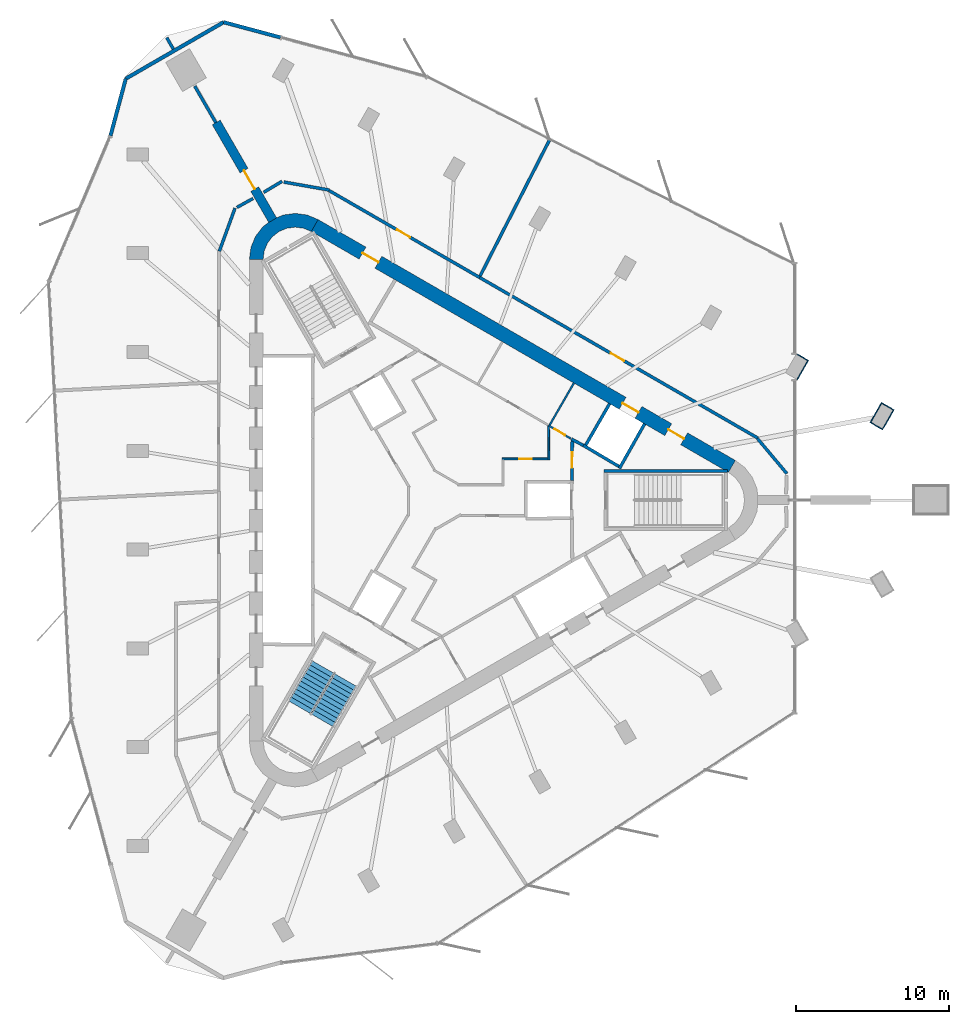
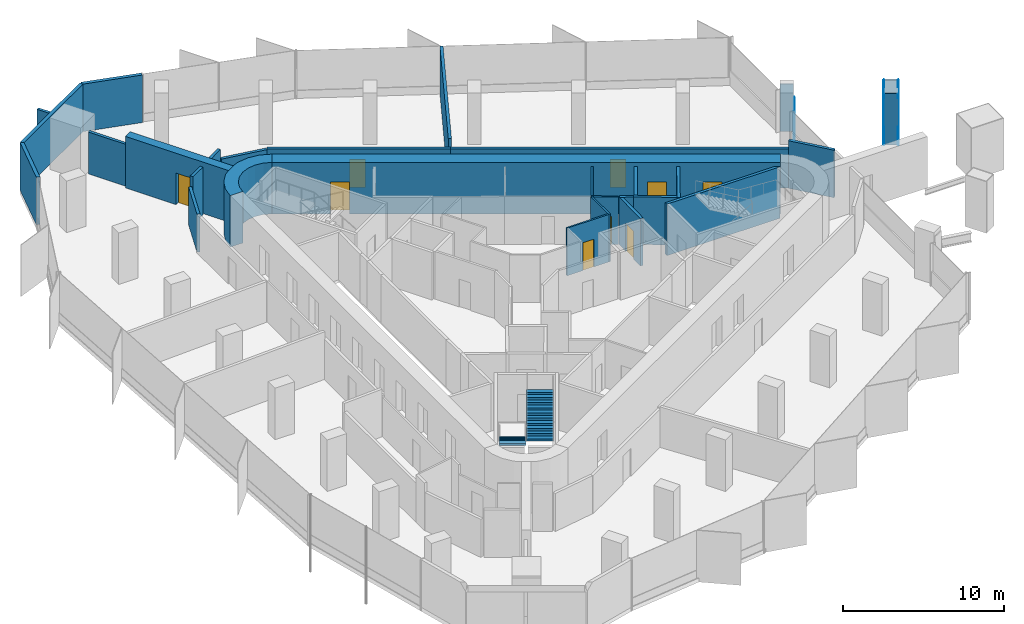
# One storey, part 10 of 12: 32 walls, 9 doors, 2 stair flights, 9 openings, 1 element without a shape of its own.
"""IFC4 building model written with IfcOpenShell, lengths in metres."""

import ifcopenshell
import ifcopenshell.guid

model = None  # the IFC model being written
_history = None  # IfcOwnerHistory: only IFC2X3 demands one
_inside = {}  # id of a spatial element -> (the spatial element, [elements in it])
_under = {}  # id of a project, library or spatial element -> (it, [spatial elements below it])
_declared = {}  # id of a project -> (the project, [libraries it declares])
_typed = {}  # id of a type object -> (the type object, [elements of that type])
_made_of = {}  # id of a material, layer set ... -> (it, [elements and type objects made of it])


def new_model(schema):
    """Start an empty IFC model of exactly this schema.

    Asked for "IFC4X3", IfcOpenShell would pick the latest addendum, in which some entities
    have other attributes; the version numbers below select the first issue.
    IFC2X3 requires an IfcOwnerHistory on every rooted entity: one is made here for all.
    """
    global model, _history
    if schema == "IFC4X3":
        model = ifcopenshell.file(schema_version=(4, 3, 0, 0))
    else:
        model = ifcopenshell.file(schema=schema)
    _inside.clear()
    _under.clear()
    _declared.clear()
    _typed.clear()
    _made_of.clear()
    _history = None
    if model.schema == "IFC2X3":
        org = make("IfcOrganization", Name="unknown")
        user = make(
            "IfcPersonAndOrganization",
            ThePerson=make("IfcPerson", FamilyName="unknown"),
            TheOrganization=org,
        )
        app = make(
            "IfcApplication",
            ApplicationDeveloper=org,
            Version="unknown",
            ApplicationFullName="unknown",
            ApplicationIdentifier="unknown",
        )
        _history = make(
            "IfcOwnerHistory",
            OwningUser=user,
            OwningApplication=app,
            ChangeAction="ADDED",
            CreationDate=0,
        )
    return model


def make(cls, **values):
    """One entity of the class cls with the attributes given. An attribute that is None is left unset."""
    return model.create_entity(
        cls, **{name: value for name, value in values.items() if value is not None}
    )


def rooted(cls, **values):
    """An entity with a GlobalId (a new one), such as an element, a storey or a relation."""
    return make(cls, GlobalId=ifcopenshell.guid.new(), OwnerHistory=_history, **values)


def si_unit(unit_type, name, prefix=None):
    """IfcSIUnit, for example si_unit("LENGTHUNIT", "METRE", prefix="MILLI")."""
    return make("IfcSIUnit", UnitType=unit_type, Prefix=prefix, Name=name)


def assignment(units):
    """IfcUnitAssignment: the units of a project."""
    return None if units is None else make("IfcUnitAssignment", Units=units)


def point(xyz):
    """IfcCartesianPoint."""
    return None if xyz is None else make("IfcCartesianPoint", Coordinates=xyz)


def direction(xyz):
    """IfcDirection."""
    return None if xyz is None else make("IfcDirection", DirectionRatios=xyz)


def frame(location, z_axis=None, x_axis=None):
    """IfcAxis2Placement3D, a coordinate frame: its origin and axes. An axis left out is left unset."""
    return make(
        "IfcAxis2Placement3D",
        Location=point(location),
        Axis=direction(z_axis),
        RefDirection=direction(x_axis),
    )


def frame_2d(location, x_axis=None):
    """IfcAxis2Placement2D, a coordinate frame in the plane: its origin and x axis."""
    return make(
        "IfcAxis2Placement2D", Location=point(location), RefDirection=direction(x_axis)
    )


def origin():
    """The frame at (0, 0, 0) with its axes left unset."""
    return frame((0.0, 0.0, 0.0))


def place(relative_to, where):
    """IfcLocalPlacement: puts the frame where relative to a parent placement (None: the world)."""
    return make(
        "IfcLocalPlacement", PlacementRelTo=relative_to, RelativePlacement=where
    )


def context(
    kind, dimensions, precision=None, world=None, true_north=None, identifier=None
):
    """IfcGeometricRepresentationContext, for example the 3D "Model" context."""
    return make(
        "IfcGeometricRepresentationContext",
        ContextIdentifier=identifier,
        ContextType=kind,
        CoordinateSpaceDimension=dimensions,
        Precision=precision,
        WorldCoordinateSystem=world,
        TrueNorth=true_north,
    )


def subcontext(parent, identifier, kind, view, scale=None):
    """IfcGeometricRepresentationSubContext, for example "Body" below "Model"."""
    return make(
        "IfcGeometricRepresentationSubContext",
        ContextIdentifier=identifier,
        ContextType=kind,
        ParentContext=parent,
        TargetScale=scale,
        TargetView=view,
    )


def project(units=None, contexts=None):
    """IfcProject with its units and contexts."""
    return rooted(
        "IfcProject",
        Name="project",
        RepresentationContexts=contexts,
        UnitsInContext=assignment(units),
    )


def spatial(cls, under=None, at=None, **own):
    """A site, building, storey or space (cls), placed at a placement, below another one or the project."""
    s = rooted(cls, ObjectPlacement=at, **own)
    if under is not None:
        _under.setdefault(under.id(), (under, []))[1].append(s)
    return s


def polyline(points):
    """IfcPolyline through the points."""
    return make("IfcPolyline", Points=[point(p) for p in points])


def profile(cls, at=None, kind="AREA", **sizes):
    """A parametric profile (cls). Its sizes go by their IFC names, for example OverallWidth=200.0."""
    return make(cls, ProfileType=kind, Position=at, **sizes)


def rectangle(**sizes):
    """IfcRectangleProfileDef."""
    return profile("IfcRectangleProfileDef", **sizes)


def outline(outer, holes=None, kind="AREA"):
    """IfcArbitraryClosedProfileDef: a profile drawn as a closed curve; with holes, ...WithVoids."""
    if holes is None:
        return make("IfcArbitraryClosedProfileDef", ProfileType=kind, OuterCurve=outer)
    return make(
        "IfcArbitraryProfileDefWithVoids",
        ProfileType=kind,
        OuterCurve=outer,
        InnerCurves=holes,
    )


def extrude(swept, where, along, depth):
    """IfcExtrudedAreaSolid: the profile swept, set in the frame where, extruded along a direction by depth."""
    return make(
        "IfcExtrudedAreaSolid",
        SweptArea=swept,
        Position=where,
        ExtrudedDirection=direction(along),
        Depth=depth,
    )


def shape(context_of_items, identifier, shape_type, items):
    """IfcShapeRepresentation: the items that make up one representation, for example the "Body"."""
    return make(
        "IfcShapeRepresentation",
        ContextOfItems=context_of_items,
        RepresentationIdentifier=identifier,
        RepresentationType=shape_type,
        Items=items,
    )


def material(Name=None, Category=None):
    """IfcMaterial."""
    return make("IfcMaterial", Name=Name, Category=Category)


def layer(
    of_material, thickness, ventilated=None, Name=None, Category=None, Priority=None
):
    """IfcMaterialLayer: one layer of a wall or slab, of a material (None: an air gap)."""
    return make(
        "IfcMaterialLayer",
        Material=of_material,
        LayerThickness=thickness,
        IsVentilated=ventilated,
        Name=Name,
        Category=Category,
        Priority=Priority,
    )


def layer_set(layers, Name=None):
    """IfcMaterialLayerSet."""
    return make("IfcMaterialLayerSet", MaterialLayers=layers, LayerSetName=Name)


def made_of(thing, what):
    """Note that an element or type object is made of a material, layer set ...; save() writes the relation."""
    if what is not None:
        _made_of.setdefault(what.id(), (what, []))[1].append(thing)
    return thing


def type_object(cls, material=None, **own):
    """A type object (cls), such as IfcWallType, which elements share."""
    return made_of(rooted(cls, **own), material)


def element(
    cls,
    number,
    at=None,
    inside=None,
    cuts=None,
    type_object=None,
    material=None,
    context=None,
    identifier="Body",
    shape_type=None,
    held_by="IfcProductDefinitionShape",
    body=None,
    shapes=None,
    **own,
):
    """One element of the class cls, such as IfcWall. Its Tag is "e" and its number.

    at: its placement. inside: the storey or other place that contains it. cuts: it is an
    opening in that element (IfcRelVoidsElement). A single representation is given by context,
    identifier, shape_type and body (its items); several are given by shapes. held_by: the class
    of the entity that holds the representations. save() writes the other relations.
    """
    e = rooted(cls, Tag="e%d" % number, ObjectPlacement=at, **own)
    if body is not None:
        shapes = [shape(context, identifier, shape_type, body)]
    if shapes is not None:
        e.Representation = make(held_by, Representations=shapes)
    if inside is not None:
        _inside.setdefault(inside.id(), (inside, []))[1].append(e)
    if cuts is not None:
        rooted(
            "IfcRelVoidsElement", RelatingBuildingElement=cuts, RelatedOpeningElement=e
        )
    if type_object is not None:
        _typed.setdefault(type_object.id(), (type_object, []))[1].append(e)
    return made_of(e, material)


def fill(opening, filler):
    """IfcRelFillsElement: the door or window that sits in an opening."""
    return rooted(
        "IfcRelFillsElement",
        RelatingOpeningElement=opening,
        RelatedBuildingElement=filler,
    )


def aggregate(whole, parts):
    """IfcRelAggregates: a whole, such as a stair, and the parts it consists of."""
    return rooted("IfcRelAggregates", RelatingObject=whole, RelatedObjects=parts)


def save(model, path):
    """Write the relations noted so far, then the file.

    IfcRelAggregates (storeys below a building ...), IfcRelContainedInSpatialStructure (elements
    in a storey), IfcRelDefinesByType, IfcRelAssociatesMaterial and IfcRelDeclares: one each for
    every whole, place, type object, material and project.
    """
    for whole, parts in _under.values():
        aggregate(whole, parts)
    for where, things in _inside.values():
        rooted(
            "IfcRelContainedInSpatialStructure",
            RelatedElements=things,
            RelatingStructure=where,
        )
    for kind, things in _typed.values():
        rooted("IfcRelDefinesByType", RelatedObjects=things, RelatingType=kind)
    for what, things in _made_of.values():
        rooted("IfcRelAssociatesMaterial", RelatedObjects=things, RelatingMaterial=what)
    for by, libraries in _declared.values():
        rooted("IfcRelDeclares", RelatingContext=by, RelatedDefinitions=libraries)
    model.write(path)


model = new_model("IFC4")

# Units and contexts
model_context = context("Model", 3, precision=1e-05, world=origin(), true_north=direction((0.0, 1.0)))
body_context = subcontext(model_context, "Body", "Model", "MODEL_VIEW")
ifc_project = project(units=[si_unit("LENGTHUNIT", "METRE"), si_unit("AREAUNIT", "SQUARE_METRE"), si_unit("VOLUMEUNIT", "CUBIC_METRE"), si_unit("PLANEANGLEUNIT", "RADIAN"), si_unit("MASSUNIT", "GRAM", prefix="KILO")], contexts=[model_context])

# Site, building, storey
site_placement = place(None, origin())
site = spatial("IfcSite", under=ifc_project, at=site_placement, CompositionType="ELEMENT")
building_placement = place(site_placement, origin())
building = spatial("IfcBuilding", under=site, at=building_placement, Name="Tanit Gate Tower", CompositionType="ELEMENT")
storey_placement = place(building_placement, frame((0.0, 0.0, 365.0)))
storey = spatial("IfcBuildingStorey", under=building, at=storey_placement, Name="L83", CompositionType="ELEMENT", Elevation=365.0)

# Wall, opening, door
ifc_material_1 = material(Name="Concrete C40/50", Category="concrete")
ifc_layer_1 = layer(ifc_material_1, 0.60009765625)
ifc_layer_set_1 = layer_set([ifc_layer_1], Name="BUTTRESS FIN 600 C40/50")
wall_type_1 = type_object("IfcWallType", Name="BUTTRESS FIN 600 C40/50", PredefinedType="SHEAR", material=ifc_layer_set_1)
wall_1_placement = place(storey_placement, frame((-10.574951171875, 18.31640625, 0.0), z_axis=(0.0, 0.0, 1.0), x_axis=(-0.500009454961, 0.866019944892, 0.0)))
wall_1 = element("IfcWall", 1, at=wall_1_placement, inside=storey, type_object=wall_type_1, Name="BUTTRESS FIN", PredefinedType="SHEAR", context=body_context, shape_type="SweptSolid", body=[
    extrude(rectangle(XDim=7.387939453125, YDim=0.60009765625, at=frame_2d((3.69384765625, 0.0))), origin(), (0.0, 0.0, 1.0), 3.89990234375),
])
opening_1_placement = place(wall_1_placement, frame((2.35009765625, 0.0, 0.0)))
opening_1 = element("IfcOpeningElement", 2, at=opening_1_placement, cuts=wall_1, Name="Opening P14-83-F-NW-1", PredefinedType="OPENING", context=body_context, shape_type="SweptSolid", body=[
    extrude(rectangle(XDim=1.39990234375, YDim=2.39990234375, at=frame_2d((0.699951171875, 1.199951171875))), frame((0.0, 0.31005859375, 0.0), z_axis=(0.0, -1.0, 0.0), x_axis=(1.0, 0.0, 0.0)), (0.0, 0.0, 1.0), 0.6201171875),
])
ifc_material_2 = material(Name="Timber door leaf", Category="wood")
door_type_1 = type_object("IfcDoorType", Name="INT-DOOR-FIN-PAIR-1400", OperationType="NOTDEFINED", PredefinedType="NOTDEFINED", material=ifc_material_2)
door_1_placement = place(opening_1_placement, origin())
door_1 = element("IfcDoor", 3, at=door_1_placement, inside=storey, type_object=door_type_1, Name="Door P14-83-F-NW-1", OperationType="DOUBLE_DOOR_SINGLE_SWING", OverallHeight=2.39990234375, OverallWidth=1.39990234375, PredefinedType="NOTDEFINED", context=body_context, shape_type="SweptSolid", body=[
    extrude(rectangle(XDim=1.39990234375, YDim=2.39990234375, at=frame_2d((0.699951171875, 1.199951171875))), frame((0.0, 0.02490234375, 0.0), z_axis=(0.0, -1.0, 0.0), x_axis=(1.0, 0.0, 0.0)), (0.0, 0.0, 1.0), 0.050048828125),
])
fill(opening_1, door_1)

# Wall, openings, doors
ifc_material_3 = material(Name="Concrete C40/50", Category="concrete")
ifc_layer_2 = layer(ifc_material_3, 0.89990234375)
ifc_layer_set_2 = layer_set([ifc_layer_2], Name="CORE WALL 900 C40/50")
wall_type_2 = type_object("IfcWallType", Name="CORE WALL 900 C40/50", PredefinedType="SHEAR", material=ifc_layer_set_2)
wall_2_placement = place(storey_placement, frame((19.47509765625, 2.20849609375, 0.0), z_axis=(0.0, 0.0, 1.0), x_axis=(-0.866028369851, 0.499994862586, 0.0)))
wall_2 = element("IfcWall", 4, at=wall_2_placement, inside=storey, type_object=wall_type_2, Name="CORE WALL", PredefinedType="SHEAR", context=body_context, shape_type="SweptSolid", body=[
    extrude(rectangle(XDim=31.523193359375, YDim=0.89990234375, at=frame_2d((15.76171875, 0.0))), origin(), (0.0, 0.0, 1.0), 3.89990234375),
])
opening_2_placement = place(wall_2_placement, frame((7.0615234375, 0.0, 0.0)))
opening_2 = element("IfcOpeningElement", 5, at=opening_2_placement, cuts=wall_2, Name="Opening LDHL8-83", PredefinedType="OPENING", context=body_context, shape_type="SweptSolid", body=[
    extrude(rectangle(XDim=1.199951171875, YDim=2.39990234375, at=frame_2d((0.60009765625, 1.199951171875))), frame((0.0, 0.4599609375, 0.0), z_axis=(0.0, -1.0, 0.0), x_axis=(1.0, 0.0, 0.0)), (0.0, 0.0, 1.0), 0.919921875),
])
opening_3_placement = place(wall_2_placement, frame((3.611572265625, 0.0, 0.0)))
opening_3 = element("IfcOpeningElement", 6, at=opening_3_placement, cuts=wall_2, Name="Opening F12-83-FL1", PredefinedType="OPENING", context=body_context, shape_type="SweptSolid", body=[
    extrude(rectangle(XDim=1.199951171875, YDim=2.39990234375, at=frame_2d((0.60009765625, 1.199951171875))), frame((0.0, 0.4599609375, 0.0), z_axis=(0.0, -1.0, 0.0), x_axis=(1.0, 0.0, 0.0)), (0.0, 0.0, 1.0), 0.919921875),
])
opening_4_placement = place(wall_2_placement, frame((26.711669921875, 0.0, 0.0)))
opening_4 = element("IfcOpeningElement", 7, at=opening_4_placement, cuts=wall_2, Name="Opening F12-83-S2", PredefinedType="OPENING", context=body_context, shape_type="SweptSolid", body=[
    extrude(rectangle(XDim=1.199951171875, YDim=2.39990234375, at=frame_2d((0.60009765625, 1.199951171875))), frame((0.0, 0.4599609375, 0.0), z_axis=(0.0, -1.0, 0.0), x_axis=(1.0, 0.0, 0.0)), (0.0, 0.0, 1.0), 0.919921875),
])
ifc_material_4 = material(Name="Fire-rated steel door leaf", Category="steel")
door_type_2 = type_object("IfcDoorType", Name="INT-DOOR-FIRE-LOBBY-1200", OperationType="NOTDEFINED", PredefinedType="USERDEFINED", material=ifc_material_4)
door_2_placement = place(opening_3_placement, origin())
door_2 = element("IfcDoor", 8, at=door_2_placement, inside=storey, type_object=door_type_2, Name="Door F12-83-FL1", ObjectType="FIRE DOOR", OperationType="SINGLE_SWING_LEFT", OverallHeight=2.39990234375, OverallWidth=1.199951171875, PredefinedType="USERDEFINED", context=body_context, shape_type="SweptSolid", body=[
    extrude(rectangle(XDim=1.199951171875, YDim=2.39990234375, at=frame_2d((0.60009765625, 1.199951171875))), frame((0.0, 0.02490234375, 0.0), z_axis=(0.0, -1.0, 0.0), x_axis=(1.0, 0.0, 0.0)), (0.0, 0.0, 1.0), 0.050048828125),
])
fill(opening_3, door_2)
door_3_placement = place(opening_4_placement, origin())
door_3 = element("IfcDoor", 9, at=door_3_placement, inside=storey, type_object=door_type_2, Name="Door F12-83-S2", ObjectType="FIRE DOOR", OperationType="SINGLE_SWING_LEFT", OverallHeight=2.39990234375, OverallWidth=1.199951171875, PredefinedType="USERDEFINED", context=body_context, shape_type="SweptSolid", body=[
    extrude(rectangle(XDim=1.199951171875, YDim=2.39990234375, at=frame_2d((0.60009765625, 1.199951171875))), frame((0.0, 0.02490234375, 0.0), z_axis=(0.0, -1.0, 0.0), x_axis=(1.0, 0.0, 0.0)), (0.0, 0.0, 1.0), 0.050048828125),
])
fill(opening_4, door_3)
ifc_material_5 = material(Name="Stainless steel sliding door leaf", Category="steel")
door_type_3 = type_object("IfcDoorType", Name="INT-DOOR-LANDING-1200", OperationType="NOTDEFINED", PredefinedType="USERDEFINED", material=ifc_material_5)
door_4_placement = place(opening_2_placement, origin())
door_4 = element("IfcDoor", 10, at=door_4_placement, inside=storey, type_object=door_type_3, Name="Door LDHL8-83", ObjectType="LANDING DOOR", OperationType="SLIDING_TO_LEFT", OverallHeight=2.39990234375, OverallWidth=1.199951171875, PredefinedType="USERDEFINED", context=body_context, shape_type="SweptSolid", body=[
    extrude(rectangle(XDim=1.199951171875, YDim=2.39990234375, at=frame_2d((0.60009765625, 1.199951171875))), frame((0.0, 0.02490234375, 0.0), z_axis=(0.0, -1.0, 0.0), x_axis=(1.0, 0.0, 0.0)), (0.0, 0.0, 1.0), 0.050048828125),
])
fill(opening_2, door_4)

# Walls
wall_3_placement = place(storey_placement, origin())
element("IfcWall", 11, at=wall_3_placement, inside=storey, type_object=wall_type_2, Name="CORE WALL CORNER", PredefinedType="SHEAR", context=body_context, shape_type="SweptSolid", body=[
    extrude(outline(polyline([(-7.60009765625, 18.359619140625), (-8.323486328125, 18.659423828125), (-9.10009765625, 18.76171875), (-9.87646484375, 18.659423828125), (-10.60009765625, 18.359619140625), (-11.22119140625, 17.883056640625), (-11.697998046875, 17.26171875), (-11.997802734375, 16.5380859375), (-12.10009765625, 15.76171875), (-11.199951171875, 15.76171875), (-11.12841796875, 16.30517578125), (-10.918701171875, 16.811767578125), (-10.5849609375, 17.24658203125), (-10.14990234375, 17.580322265625), (-9.6435546875, 17.7900390625), (-9.10009765625, 17.86181640625), (-8.556396484375, 17.7900390625), (-8.050048828125, 17.580322265625), (-7.60009765625, 18.359619140625)])), origin(), (0.0, 0.0, 1.0), 3.89990234375),
])
ifc_material_6 = material(Name="Bronze anodised aluminium cladding", Category="aluminium")
ifc_layer_3 = layer(ifc_material_6, 0.06005859375)
ifc_layer_set_3 = layer_set([ifc_layer_3], Name="Column casing bronze 60")
wall_type_3 = type_object("IfcWallType", Name="Column casing bronze 60", PredefinedType="SOLIDWALL", material=ifc_layer_set_3)
for number, where, z_axis, x_axis, name in (
    (12, (28.521484375, 5.0634765625, 0.0), (0.0, 0.0, 1.0), (0.499991248344, 0.866030456496, 0.0), "Column casing L83 P-NE1.L1"),
    (13, (29.3095703125, 4.6083984375, 0.0), (0.0, 0.0, 1.0), (0.499991248344, 0.866030456496, 0.0), "Column casing L83 P-NE1.L2"),
):
    element("IfcWall", number, at=place(storey_placement, frame(where, z_axis=z_axis, x_axis=x_axis)), inside=storey, type_object=wall_type_3, Name=name, PredefinedType="SOLIDWALL", context=body_context, shape_type="SweptSolid", body=[
        extrude(rectangle(XDim=1.52001953125, YDim=0.06005859375, at=frame_2d((0.760009765625, 0.0))), origin(), (0.0, 0.0, 1.0), 3.89990234375),
    ])
for number, where, z_axis, x_axis, name in (
    (14, (30.02880859375, 5.913818359375, 0.0), (0.0, 0.0, 1.0), (-0.866061263272, 0.499937884402, 0.0), "Column casing L83 P-NE1.S1"),
    (15, (29.298583984375, 4.6494140625, 0.0), (0.0, 0.0, 1.0), (-0.865989465428, 0.500062241894, 0.0), "Column casing L83 P-NE1.S2"),
):
    element("IfcWall", number, at=place(storey_placement, frame(where, z_axis=z_axis, x_axis=x_axis)), inside=storey, type_object=wall_type_3, Name=name, PredefinedType="SOLIDWALL", context=body_context, shape_type="SweptSolid", body=[
        extrude(rectangle(XDim=0.85009765625, YDim=0.06005859375, at=frame_2d((0.425048828125, 0.0))), origin(), (0.0, 0.0, 1.0), 3.89990234375),
    ])
wall_4_placement = place(storey_placement, frame((23.711669921875, 7.84033203125, 0.0), z_axis=(0.0, 0.0, 1.0), x_axis=(0.499991248344, 0.866030456496, 0.0)))
element("IfcWall", 16, at=wall_4_placement, inside=storey, type_object=wall_type_3, Name="Column casing L83 P-NE2.L2", PredefinedType="SOLIDWALL", context=body_context, shape_type="SweptSolid", body=[
    extrude(rectangle(XDim=1.52001953125, YDim=0.06005859375, at=frame_2d((0.760009765625, 0.0))), origin(), (0.0, 0.0, 1.0), 2.610107421875),
])
wall_5_placement = place(storey_placement, frame((24.430908203125, 9.145751953125, 0.0), z_axis=(0.0, 0.0, 1.0), x_axis=(-0.866061263272, 0.499937884402, 0.0)))
element("IfcWall", 17, at=wall_5_placement, inside=storey, type_object=wall_type_3, Name="Column casing L83 P-NE2.S1", PredefinedType="SOLIDWALL", context=body_context, shape_type="SweptSolid", body=[
    extrude(rectangle(XDim=0.85009765625, YDim=0.06005859375, at=frame_2d((0.425048828125, 0.0))), origin(), (0.0, 0.0, 1.0), 3.60009765625),
])
ifc_material_7 = material(Name="Concrete C30/37 with bronze anodised aluminium cladding", Category="concrete")
ifc_layer_4 = layer(ifc_material_7, 0.239990234375)
ifc_layer_set_4 = layer_set([ifc_layer_4], Name="Facade wall bronze clad 240")
wall_type_4 = type_object("IfcWallType", Name="Facade wall bronze clad 240", PredefinedType="SOLIDWALL", material=ifc_layer_set_4)
wall_6_placement = place(storey_placement, frame((-10.056640625, 30.274169921875, 0.0), z_axis=(0.0, 0.0, 1.0), x_axis=(-0.965920386927, 0.258839344225, 0.0)))
element("IfcWall", 18, at=wall_6_placement, inside=storey, type_object=wall_type_4, Name="Bronze-clad facade wall L83 NW.arc1", PredefinedType="SOLIDWALL", context=body_context, shape_type="SweptSolid", body=[
    extrude(rectangle(XDim=3.860595703125, YDim=0.239990234375, at=frame_2d((1.93017578125, 0.0))), origin(), (0.0, 0.0, 1.0), 3.60009765625),
])
wall_7_placement = place(storey_placement, frame((-13.78564453125, 31.2734375, 0.0), z_axis=(0.0, 0.0, 1.0), x_axis=(-0.866022320763, -0.500005339912, 0.0)))
element("IfcWall", 19, at=wall_7_placement, inside=storey, type_object=wall_type_4, Name="Bronze-clad facade wall L83 NW.arc2", PredefinedType="SOLIDWALL", context=body_context, shape_type="SweptSolid", body=[
    extrude(rectangle(XDim=7.39599609375, YDim=0.239990234375, at=frame_2d((3.697998046875, 0.0))), origin(), (0.0, 0.0, 1.0), 3.60009765625),
])
wall_8_placement = place(storey_placement, frame((-20.190673828125, 27.575439453125, 0.0), z_axis=(0.0, 0.0, 1.0), x_axis=(-0.258848583704, -0.965917910961, 0.0)))
element("IfcWall", 20, at=wall_8_placement, inside=storey, type_object=wall_type_4, Name="Bronze-clad facade wall L83 NW.arc3", PredefinedType="SOLIDWALL", context=body_context, shape_type="SweptSolid", body=[
    extrude(rectangle(XDim=3.868896484375, YDim=0.239990234375, at=frame_2d((1.9345703125, 0.0))), origin(), (0.0, 0.0, 1.0), 3.60009765625),
])
ifc_material_8 = material(Name="Fire-rated gypsum board partition")
ifc_layer_5 = layer(ifc_material_8, 0.199951171875)
ifc_layer_set_5 = layer_set([ifc_layer_5], Name="INT-WALL-COMPARTMENT")
wall_type_5 = type_object("IfcWallType", Name="INT-WALL-COMPARTMENT", PredefinedType="PARTITIONING", material=ifc_layer_set_5)
wall_9_placement = place(storey_placement, frame((8.97412109375, 3.998779296875, 0.0), z_axis=(0.0, 0.0, 1.0), x_axis=(0.880917147855, -0.473270513147, 0.0)))
element("IfcWall", 21, at=wall_9_placement, inside=storey, type_object=wall_type_5, Name="Wall Compartment W048", PredefinedType="PARTITIONING", context=body_context, shape_type="SweptSolid", body=[
    extrude(rectangle(XDim=0.8779296875, YDim=0.199951171875, at=frame_2d((0.43896484375, 0.0))), origin(), (0.0, 0.0, 1.0), 3.60009765625),
])

# Wall, opening, door
wall_10_placement = place(storey_placement, frame((9.0009765625, 1.27001953125, 0.0), z_axis=(0.0, 0.0, 1.0), x_axis=(0.010728802716, 0.99994244474, 0.0)))
wall_10 = element("IfcWall", 22, at=wall_10_placement, inside=storey, type_object=wall_type_5, Name="Wall Compartment W064", PredefinedType="PARTITIONING", context=body_context, shape_type="SweptSolid", body=[
    extrude(rectangle(XDim=2.7080078125, YDim=0.199951171875, at=frame_2d((1.35400390625, 0.0))), origin(), (0.0, 0.0, 1.0), 3.60009765625),
])
opening_5_placement = place(wall_10_placement, frame((0.848388671875, 0.0, 0.0)))
opening_5 = element("IfcOpeningElement", 23, at=opening_5_placement, cuts=wall_10, Name="Opening F10-83-02", PredefinedType="OPENING", context=body_context, shape_type="SweptSolid", body=[
    extrude(rectangle(XDim=1.0, YDim=2.10009765625, at=frame_2d((0.5, 1.050048828125))), frame((0.0, 0.10986328125, 0.0), z_axis=(0.0, -1.0, 0.0), x_axis=(1.0, 0.0, 0.0)), (0.0, 0.0, 1.0), 0.219970703125),
])
ifc_material_9 = material(Name="Fire-rated steel door leaf", Category="steel")
door_type_4 = type_object("IfcDoorType", Name="INT-DOOR-FIRE-1000", OperationType="NOTDEFINED", PredefinedType="USERDEFINED", material=ifc_material_9)
door_5_placement = place(opening_5_placement, origin())
door_5 = element("IfcDoor", 24, at=door_5_placement, inside=storey, type_object=door_type_4, Name="Door F10-83-02", ObjectType="FIRE DOOR", OperationType="SINGLE_SWING_LEFT", OverallHeight=2.10009765625, OverallWidth=1.0, PredefinedType="USERDEFINED", context=body_context, shape_type="SweptSolid", body=[
    extrude(rectangle(XDim=1.0, YDim=2.10009765625, at=frame_2d((0.5, 1.050048828125))), frame((0.0, 0.02490234375, 0.0), z_axis=(0.0, -1.0, 0.0), x_axis=(1.0, 0.0, 0.0)), (0.0, 0.0, 1.0), 0.050048828125),
])
fill(opening_5, door_5)

# Walls
wall_11_placement = place(storey_placement, frame((-13.037841796875, 19.11181640625, 0.0), z_axis=(0.0, 0.0, 1.0), x_axis=(-0.342062629946, -0.939677155833, 0.0)))
element("IfcWall", 25, at=wall_11_placement, inside=storey, type_object=wall_type_5, Name="Wall Compartment W088", PredefinedType="PARTITIONING", context=body_context, shape_type="SweptSolid", body=[
    extrude(rectangle(XDim=3.005615234375, YDim=0.199951171875, at=frame_2d((1.5029296875, 0.0))), origin(), (0.0, 0.0, 1.0), 2.8798828125),
])
wall_12_placement = place(storey_placement, frame((-11.85791015625, 19.738525390625, 0.0), z_axis=(0.0, 0.0, 1.0), x_axis=(-0.874375812865, -0.48524935639, 0.0)))
element("IfcWall", 26, at=wall_12_placement, inside=storey, type_object=wall_type_5, Name="Wall Compartment W089", PredefinedType="PARTITIONING", context=body_context, shape_type="SweptSolid", body=[
    extrude(rectangle(XDim=1.21142578125, YDim=0.199951171875, at=frame_2d((0.605712890625, 0.0))), origin(), (0.0, 0.0, 1.0), 3.60009765625),
])
wall_13_placement = place(storey_placement, frame((-17.505615234375, 30.260498046875, 0.0), z_axis=(0.0, 0.0, 1.0), x_axis=(0.500065409566, -0.86598763626, 0.0)))
element("IfcWall", 27, at=wall_13_placement, inside=storey, type_object=wall_type_5, Name="Wall Compartment W097", PredefinedType="PARTITIONING", context=body_context, shape_type="SweptSolid", body=[
    extrude(rectangle(XDim=0.86279296875, YDim=0.199951171875, at=frame_2d((0.431396484375, 0.0))), origin(), (0.0, 0.0, 1.0), 3.60009765625),
])
wall_14_placement = place(storey_placement, frame((-15.671630859375, 27.084228515625, 0.0), z_axis=(0.0, 0.0, 1.0), x_axis=(0.49996293259, -0.866046803606, 0.0)))
element("IfcWall", 28, at=wall_14_placement, inside=storey, type_object=wall_type_5, Name="Wall Compartment W098", PredefinedType="PARTITIONING", context=body_context, shape_type="SweptSolid", body=[
    extrude(rectangle(XDim=2.753662109375, YDim=0.199951171875, at=frame_2d((1.376953125, 0.0))), origin(), (0.0, 0.0, 1.0), 3.169921875),
])

# Wall, opening, door
wall_15_placement = place(storey_placement, frame((21.16064453125, 4.064208984375, 0.0), z_axis=(0.0, 0.0, 1.0), x_axis=(-0.866028607369, 0.499994451187, 0.0)))
wall_15 = element("IfcWall", 29, at=wall_15_placement, inside=storey, type_object=wall_type_5, Name="Wall Compartment W108", PredefinedType="PARTITIONING", context=body_context, shape_type="SweptSolid", body=[
    extrude(rectangle(XDim=21.004150390625, YDim=0.199951171875, at=frame_2d((10.501953125, 0.0))), origin(), (0.0, 0.0, 1.0), 2.969970703125),
])
opening_6_placement = place(wall_15_placement, frame((10.10009765625, 0.0, 0.0)))
opening_6 = element("IfcOpeningElement", 30, at=opening_6_placement, cuts=wall_15, Name="Opening F10-83-24", PredefinedType="OPENING", context=body_context, shape_type="SweptSolid", body=[
    extrude(rectangle(XDim=1.0, YDim=2.10009765625, at=frame_2d((0.5, 1.050048828125))), frame((0.0, 0.10986328125, 0.0), z_axis=(0.0, -1.0, 0.0), x_axis=(1.0, 0.0, 0.0)), (0.0, 0.0, 1.0), 0.219970703125),
])
door_6_placement = place(opening_6_placement, origin())
door_6 = element("IfcDoor", 31, at=door_6_placement, inside=storey, type_object=door_type_4, Name="Door F10-83-24", ObjectType="FIRE DOOR", OperationType="SINGLE_SWING_LEFT", OverallHeight=2.10009765625, OverallWidth=1.0, PredefinedType="USERDEFINED", context=body_context, shape_type="SweptSolid", body=[
    extrude(rectangle(XDim=1.0, YDim=2.10009765625, at=frame_2d((0.5, 1.050048828125))), frame((0.0, 0.02490234375, 0.0), z_axis=(0.0, -1.0, 0.0), x_axis=(1.0, 0.0, 0.0)), (0.0, 0.0, 1.0), 0.050048828125),
])
fill(opening_6, door_6)

wall_16_placement = place(storey_placement, frame((2.970458984375, 14.566162109375, 0.0), z_axis=(0.0, 0.0, 1.0), x_axis=(-0.866018430615, 0.500012077689, 0.0)))
wall_16 = element("IfcWall", 32, at=wall_16_placement, inside=storey, type_object=wall_type_5, Name="Wall Compartment W113", PredefinedType="PARTITIONING", context=body_context, shape_type="SweptSolid", body=[
    extrude(rectangle(XDim=11.383056640625, YDim=0.199951171875, at=frame_2d((5.69140625, 0.0))), origin(), (0.0, 0.0, 1.0), 2.969970703125),
])
opening_7_placement = place(wall_16_placement, frame((5.254150390625, 0.0, 0.0)))
opening_7 = element("IfcOpeningElement", 33, at=opening_7_placement, cuts=wall_16, Name="Opening F10-83-25", PredefinedType="OPENING", context=body_context, shape_type="SweptSolid", body=[
    extrude(rectangle(XDim=1.0, YDim=2.10009765625, at=frame_2d((0.5, 1.050048828125))), frame((0.0, 0.10986328125, 0.0), z_axis=(0.0, -1.0, 0.0), x_axis=(1.0, 0.0, 0.0)), (0.0, 0.0, 1.0), 0.219970703125),
])
door_7_placement = place(opening_7_placement, origin())
door_7 = element("IfcDoor", 34, at=door_7_placement, inside=storey, type_object=door_type_4, Name="Door F10-83-25", ObjectType="FIRE DOOR", OperationType="SINGLE_SWING_LEFT", OverallHeight=2.10009765625, OverallWidth=1.0, PredefinedType="USERDEFINED", context=body_context, shape_type="SweptSolid", body=[
    extrude(rectangle(XDim=1.0, YDim=2.10009765625, at=frame_2d((0.5, 1.050048828125))), frame((0.0, 0.02490234375, 0.0), z_axis=(0.0, -1.0, 0.0), x_axis=(1.0, 0.0, 0.0)), (0.0, 0.0, 1.0), 0.050048828125),
])
fill(opening_7, door_7)

# Walls
wall_17_placement = place(storey_placement, frame((23.0703125, 1.7353515625, 0.0), z_axis=(0.0, 0.0, 1.0), x_axis=(-0.642801456619, 0.76603282395, 0.0)))
element("IfcWall", 35, at=wall_17_placement, inside=storey, type_object=wall_type_5, Name="Wall Compartment W109", PredefinedType="PARTITIONING", context=body_context, shape_type="SweptSolid", body=[
    extrude(rectangle(XDim=3.00537109375, YDim=0.199951171875, at=frame_2d((1.502685546875, 0.0))), origin(), (0.0, 0.0, 1.0), 3.60009765625),
])
wall_18_placement = place(storey_placement, frame((-9.963623046875, 20.85986328125, 0.0), z_axis=(0.0, 0.0, 1.0), x_axis=(-0.857308408435, -0.514803159302, 0.0)))
element("IfcWall", 36, at=wall_18_placement, inside=storey, type_object=wall_type_5, Name="Wall Compartment W111", PredefinedType="PARTITIONING", context=body_context, shape_type="SweptSolid", body=[
    extrude(rectangle(XDim=1.4013671875, YDim=0.199951171875, at=frame_2d((0.70068359375, 0.0))), origin(), (0.0, 0.0, 1.0), 3.60009765625),
])
wall_19_placement = place(storey_placement, frame((-6.875732421875, 20.29052734375, 0.0), z_axis=(0.0, 0.0, 1.0), x_axis=(-0.984819400126, 0.173582110644, 0.0)))
element("IfcWall", 37, at=wall_19_placement, inside=storey, type_object=wall_type_5, Name="Wall Compartment W112", PredefinedType="PARTITIONING", context=body_context, shape_type="SweptSolid", body=[
    extrude(rectangle(XDim=3.015625, YDim=0.199951171875, at=frame_2d((1.5078125, 0.0))), origin(), (0.0, 0.0, 1.0), 2.8798828125),
])
wall_20_placement = place(storey_placement, frame((7.552490234375, 23.597900390625, 0.0), z_axis=(0.0, 0.0, 1.0), x_axis=(-0.454426178966, -0.890784400329, 0.0)))
element("IfcWall", 38, at=wall_20_placement, inside=storey, type_object=wall_type_5, Name="Wall Compartment W114", PredefinedType="PARTITIONING", context=body_context, shape_type="SweptSolid", body=[
    extrude(rectangle(XDim=10.026123046875, YDim=0.199951171875, at=frame_2d((5.01318359375, 0.0))), origin(), (0.0, 0.0, 1.0), 3.60009765625),
])
ifc_material_10 = material(Name="Gypsum board partition")
ifc_layer_6 = layer(ifc_material_10, 0.1201171875)
ifc_layer_set_6 = layer_set([ifc_layer_6], Name="INT-WALL-PARTITION")
wall_type_6 = type_object("IfcWallType", Name="INT-WALL-PARTITION", PredefinedType="PARTITIONING", material=ifc_layer_set_6)
wall_21_placement = place(storey_placement, frame((7.50830078125, 4.844970703125, 0.0), z_axis=(0.0, 0.0, 1.0), x_axis=(0.500017246033, 0.866015446554, 0.0)))
element("IfcWall", 39, at=wall_21_placement, inside=storey, type_object=wall_type_6, Name="Wall Partition W047", PredefinedType="PARTITIONING", context=body_context, shape_type="SweptSolid", body=[
    extrude(rectangle(XDim=3.25, YDim=0.1201171875, at=frame_2d((1.625, 0.0))), origin(), (0.0, 0.0, 1.0), 3.60009765625),
])

# Wall, opening, door
wall_22_placement = place(storey_placement, frame((7.4931640625, 4.87841796875, 0.0), z_axis=(0.0, 0.0, 1.0), x_axis=(0.8599829515, -0.510322763679, 0.0)))
wall_22 = element("IfcWall", 40, at=wall_22_placement, inside=storey, type_object=wall_type_6, Name="Wall Partition W049", PredefinedType="PARTITIONING", context=body_context, shape_type="SweptSolid", body=[
    extrude(rectangle(XDim=1.671630859375, YDim=0.1201171875, at=frame_2d((0.8359375, 0.0))), origin(), (0.0, 0.0, 1.0), 3.60009765625),
])
opening_8_placement = place(wall_22_placement, frame((0.435791015625, 0.0, 0.0)))
opening_8 = element("IfcOpeningElement", 41, at=opening_8_placement, cuts=wall_22, Name="Opening R08-83-13", PredefinedType="OPENING", context=body_context, shape_type="SweptSolid", body=[
    extrude(rectangle(XDim=0.800048828125, YDim=2.10009765625, at=frame_2d((0.39990234375, 1.050048828125))), frame((0.0, 0.070068359375, 0.0), z_axis=(0.0, -1.0, 0.0), x_axis=(1.0, 0.0, 0.0)), (0.0, 0.0, 1.0), 0.14013671875),
])
ifc_material_11 = material(Name="Timber door leaf", Category="wood")
door_type_5 = type_object("IfcDoorType", Name="INT-DOOR-RISER-800", OperationType="NOTDEFINED", PredefinedType="USERDEFINED", material=ifc_material_11)
door_8_placement = place(opening_8_placement, origin())
door_8 = element("IfcDoor", 42, at=door_8_placement, inside=storey, type_object=door_type_5, Name="Door R08-83-13", ObjectType="FIRE DOOR", OperationType="SINGLE_SWING_LEFT", OverallHeight=2.10009765625, OverallWidth=0.800048828125, PredefinedType="USERDEFINED", context=body_context, shape_type="SweptSolid", body=[
    extrude(rectangle(XDim=0.800048828125, YDim=2.10009765625, at=frame_2d((0.39990234375, 1.050048828125))), frame((0.0, 0.02490234375, 0.0), z_axis=(0.0, -1.0, 0.0), x_axis=(1.0, 0.0, 0.0)), (0.0, 0.0, 1.0), 0.050048828125),
])
fill(opening_8, door_8)

# Wall
wall_23_placement = place(storey_placement, frame((7.500732421875, 2.639892578125, 0.0), z_axis=(0.0, 0.0, 1.0), x_axis=(-0.01174194727, 0.999931060961, 0.0)))
element("IfcWall", 43, at=wall_23_placement, inside=storey, type_object=wall_type_6, Name="Wall Partition W078", PredefinedType="PARTITIONING", context=body_context, shape_type="SweptSolid", body=[
    extrude(rectangle(XDim=2.224853515625, YDim=0.1201171875, at=frame_2d((1.1123046875, 0.0))), origin(), (0.0, 0.0, 1.0), 3.60009765625),
])

# Wall, opening, door
wall_24_placement = place(storey_placement, frame((4.43994140625, 2.699951171875, 0.0), z_axis=(0.0, 0.0, 1.0), x_axis=(1.0, 0.0, 0.0)))
wall_24 = element("IfcWall", 44, at=wall_24_placement, inside=storey, type_object=wall_type_6, Name="Wall Partition W079", PredefinedType="PARTITIONING", context=body_context, shape_type="SweptSolid", body=[
    extrude(rectangle(XDim=3.0, YDim=0.1201171875, at=frame_2d((1.5, 0.0))), origin(), (0.0, 0.0, 1.0), 3.60009765625),
])
opening_9_placement = place(wall_24_placement, frame((1.1298828125, 0.0, 0.0)))
opening_9 = element("IfcOpeningElement", 45, at=opening_9_placement, cuts=wall_24, Name="Opening R08-83-12", PredefinedType="OPENING", context=body_context, shape_type="SweptSolid", body=[
    extrude(rectangle(XDim=0.800048828125, YDim=2.10009765625, at=frame_2d((0.39990234375, 1.050048828125))), frame((0.0, 0.070068359375, 0.0), z_axis=(0.0, -1.0, 0.0), x_axis=(1.0, 0.0, 0.0)), (0.0, 0.0, 1.0), 0.14013671875),
])
door_9_placement = place(opening_9_placement, origin())
door_9 = element("IfcDoor", 46, at=door_9_placement, inside=storey, type_object=door_type_5, Name="Door R08-83-12", ObjectType="FIRE DOOR", OperationType="SINGLE_SWING_RIGHT", OverallHeight=2.10009765625, OverallWidth=0.800048828125, PredefinedType="USERDEFINED", context=body_context, shape_type="SweptSolid", body=[
    extrude(rectangle(XDim=0.800048828125, YDim=2.10009765625, at=frame_2d((0.39990234375, 1.050048828125))), frame((0.0, 0.02490234375, 0.0), z_axis=(0.0, -1.0, 0.0), x_axis=(1.0, 0.0, 0.0)), (0.0, 0.0, 1.0), 0.050048828125),
])
fill(opening_9, door_9)

# Walls
ifc_material_12 = material(Name="Gypsum shaft wall system")
ifc_layer_7 = layer(ifc_material_12, 0.199951171875)
ifc_layer_set_7 = layer_set([ifc_layer_7], Name="INT-WALL-SHAFT")
wall_type_7 = type_object("IfcWallType", Name="INT-WALL-SHAFT", PredefinedType="PLUMBINGWALL", material=ifc_layer_set_7)
wall_25_placement = place(storey_placement, frame((9.8466796875, 3.494873046875, 0.0), z_axis=(0.0, 0.0, 1.0), x_axis=(0.499984717929, 0.866034226713, 0.0)))
element("IfcWall", 47, at=wall_25_placement, inside=storey, type_object=wall_type_7, Name="Wall Shaft W012", PredefinedType="PLUMBINGWALL", context=body_context, shape_type="SweptSolid", body=[
    extrude(rectangle(XDim=3.25, YDim=0.199951171875, at=frame_2d((1.625, 0.0))), origin(), (0.0, 0.0, 1.0), 3.60009765625),
])
wall_26_placement = place(storey_placement, frame((12.10986328125, 2.07275390625, 0.0), z_axis=(0.0, 0.0, 1.0), x_axis=(0.49196600604, 0.870614408852, 0.0)))
element("IfcWall", 48, at=wall_26_placement, inside=storey, type_object=wall_type_7, Name="Wall Shaft W013", PredefinedType="PLUMBINGWALL", context=body_context, shape_type="SweptSolid", body=[
    extrude(rectangle(XDim=3.35009765625, YDim=0.199951171875, at=frame_2d((1.675048828125, 0.0))), origin(), (0.0, 0.0, 1.0), 3.60009765625),
])
wall_27_placement = place(storey_placement, frame((12.072998046875, 2.2109375, 0.0), z_axis=(0.0, 0.0, 1.0), x_axis=(-0.860414880418, 0.509594185166, 0.0)))
element("IfcWall", 49, at=wall_27_placement, inside=storey, type_object=wall_type_7, Name="Wall Shaft W014", PredefinedType="PLUMBINGWALL", context=body_context, shape_type="SweptSolid", body=[
    extrude(rectangle(XDim=2.7001953125, YDim=0.199951171875, at=frame_2d((1.35009765625, 0.0))), origin(), (0.0, 0.0, 1.0), 3.60009765625),
])
ifc_material_13 = material(Name="Concrete C40/50", Category="concrete")
ifc_layer_8 = layer(ifc_material_13, 0.199951171875)
ifc_layer_set_8 = layer_set([ifc_layer_8], Name="INT-WALL-STAIR")
wall_type_8 = type_object("IfcWallType", Name="INT-WALL-STAIR", PredefinedType="SHEAR", material=ifc_layer_set_8)
wall_28_placement = place(storey_placement, frame((19.199951171875, 1.89990234375, -0.300048828125), z_axis=(0.0, 0.0, 1.0), x_axis=(-1.0, 0.0, 0.0)))
element("IfcWall", 50, at=wall_28_placement, inside=storey, type_object=wall_type_8, Name="Wall Stair W020", PredefinedType="SHEAR", context=body_context, shape_type="SweptSolid", body=[
    extrude(rectangle(XDim=8.099853515625, YDim=0.199951171875, at=frame_2d((4.0498046875, 0.0))), origin(), (0.0, 0.0, 1.0), 3.900146484375),
])

# Stair, stair flights
ifc_material_14 = material(Name="Concrete C40/50", Category="concrete")
stair_type = type_object("IfcStairType", Name="INT-STAIR-EXIT", PredefinedType="HALF_TURN_STAIR", material=ifc_material_14)
stair_placement = place(storey_placement, origin())
stair = element("IfcStair", 51, at=stair_placement, inside=storey, type_object=stair_type, Name="L83 STAIR S3", PredefinedType="HALF_TURN_STAIR")
ifc_material_15 = material(Name="Concrete C40/50", Category="concrete")
stair_flight_type = type_object("IfcStairFlightType", Name="INT-STAIR-FLIGHT", PredefinedType="STRAIGHT", material=ifc_material_15)
stair_flight_1_placement = place(storey_placement, frame((-7.285888671875, -10.914306640625, 0.0), z_axis=(0.0, 0.0, 1.0), x_axis=(-0.5, -0.866025403784, 0.0)))
stair_flight_1 = element("IfcStairFlight", 52, at=stair_flight_1_placement, type_object=stair_flight_type, Name="S3 flight 1", NumberOfRisers=11, NumberOfTreads=10, PredefinedType="STRAIGHT", RiserHeight=0.177272727, TreadLength=0.3051, context=body_context, shape_type="SweptSolid", body=[
    extrude(outline(polyline([(0.0, 0.0), (0.0, 0.17724609375), (0.30517578125, 0.17724609375), (0.30517578125, 0.3544921875), (0.610107421875, 0.3544921875), (0.610107421875, 0.53173828125), (0.915283203125, 0.53173828125), (0.915283203125, 0.708984375), (1.220458984375, 0.708984375), (1.220458984375, 0.886474609375), (1.525390625, 0.886474609375), (1.525390625, 1.063720703125), (1.83056640625, 1.063720703125), (1.83056640625, 1.240966796875), (2.1357421875, 1.240966796875), (2.1357421875, 1.418212890625), (2.44091796875, 1.418212890625), (2.44091796875, 1.595458984375), (2.745849609375, 1.595458984375), (2.745849609375, 1.772705078125), (3.051025390625, 1.772705078125), (3.051025390625, 1.949951171875), (3.051025390625, 1.599365234375), (0.29833984375, 0.0), (0.0, 0.0)])), frame((0.0, 0.84765625, 0.0), z_axis=(0.0, -1.0, 0.0), x_axis=(1.0, 0.0, 0.0)), (0.0, 0.0, 1.0), 1.695068359375),
])
stair_flight_2_placement = place(storey_placement, frame((-7.334716796875, -14.4091796875, 1.949951171875), z_axis=(0.0, 0.0, 1.0), x_axis=(0.5, 0.866025403784, 0.0)))
stair_flight_2 = element("IfcStairFlight", 53, at=stair_flight_2_placement, type_object=stair_flight_type, Name="S3 flight 2", NumberOfRisers=11, NumberOfTreads=10, PredefinedType="STRAIGHT", RiserHeight=0.177272727, TreadLength=0.3051, context=body_context, shape_type="SweptSolid", body=[
    extrude(outline(polyline([(0.0, 0.0), (0.0, 0.17724609375), (0.30517578125, 0.17724609375), (0.30517578125, 0.3544921875), (0.610107421875, 0.3544921875), (0.610107421875, 0.53173828125), (0.915283203125, 0.53173828125), (0.915283203125, 0.708984375), (1.220458984375, 0.708984375), (1.220458984375, 0.886474609375), (1.525390625, 0.886474609375), (1.525390625, 1.063720703125), (1.83056640625, 1.063720703125), (1.83056640625, 1.240966796875), (2.1357421875, 1.240966796875), (2.1357421875, 1.418212890625), (2.44091796875, 1.418212890625), (2.44091796875, 1.595458984375), (2.745849609375, 1.595458984375), (2.745849609375, 1.772705078125), (3.051025390625, 1.772705078125), (3.051025390625, 1.949951171875), (3.051025390625, 1.599365234375), (0.29833984375, 0.0), (0.0, 0.0)])), frame((0.0, 0.84765625, 0.0), z_axis=(0.0, -1.0, 0.0), x_axis=(1.0, 0.0, 0.0)), (0.0, 0.0, 1.0), 1.695068359375),
])
aggregate(stair, [stair_flight_1, stair_flight_2])

save(model, "model.ifc")
